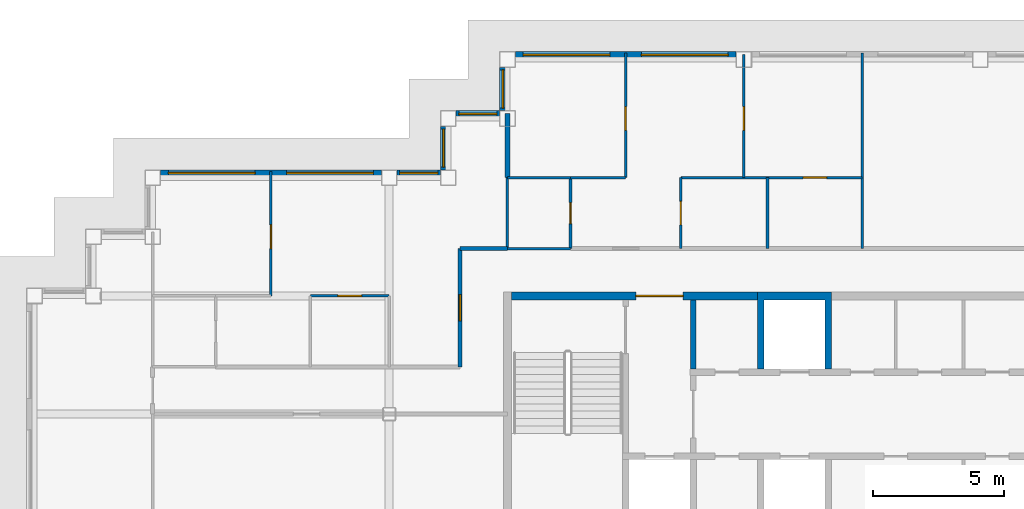
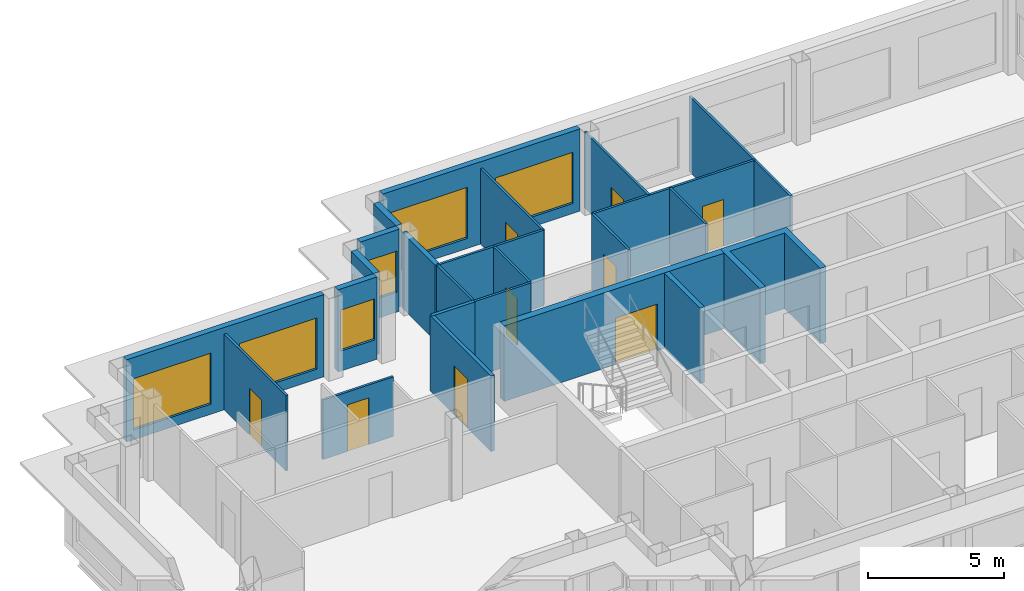
# One storey, part 4 of 11: 25 walls, 9 doors, 8 windows, 17 openings.
"""IFC4 building model written with IfcOpenShell, lengths in metres."""

from ifc_helpers import new_model, si_unit, direction, frame, frame_2d, origin, place, context, subcontext, project, spatial, polyline, rectangle, outline, extrude, material, layer, layer_set, type_object, element, fill, save


model = new_model("IFC4")

# Units and contexts
model_context = context("Model", 3, precision=1e-05, world=origin(), true_north=direction((0.0, 1.0)))
body_context = subcontext(model_context, "Body", "Model", "MODEL_VIEW")
ifc_project = project(units=[si_unit("LENGTHUNIT", "METRE"), si_unit("AREAUNIT", "SQUARE_METRE"), si_unit("VOLUMEUNIT", "CUBIC_METRE"), si_unit("PLANEANGLEUNIT", "RADIAN"), si_unit("MASSUNIT", "GRAM", prefix="KILO")], contexts=[model_context])

# Site, building, storey
site_placement = place(None, origin())
site = spatial("IfcSite", under=ifc_project, at=site_placement, CompositionType="ELEMENT")
building_placement = place(site_placement, origin())
building = spatial("IfcBuilding", under=site, at=building_placement, Name="Caravel Reach Hotel and Residences", CompositionType="ELEMENT")
storey_placement = place(building_placement, frame((0.0, 0.0, 256.39990234375)))
storey = spatial("IfcBuildingStorey", under=building, at=storey_placement, Name="L65", CompositionType="ELEMENT", Elevation=256.39990234375)

# Walls
ifc_material_1 = material(Name="Gypsum board on steel stud", Category="steel")
ifc_layer_1 = layer(ifc_material_1, 0.10009765625)
ifc_layer_set_1 = layer_set([ifc_layer_1], Name="Bathroom pod wall 100 mm")
wall_type_1 = type_object("IfcWallType", Name="Bathroom pod wall 100 mm", PredefinedType="PARTITIONING", material=ifc_layer_set_1)
for number, where, z_axis, x_axis, name in (
    (1, (18.0, 33.300048828125, 0.0), (0.0, 0.0, 1.0), (1.0, 0.0, 0.0), "L65 wall w059"),
    (2, (18.0, 36.0, 0.0), (0.0, 0.0, 1.0), (1.0, 0.0, 0.0), "L65 wall w060"),
):
    element("IfcWall", number, at=place(storey_placement, frame(where, z_axis=z_axis, x_axis=x_axis)), inside=storey, type_object=wall_type_1, Name=name, PredefinedType="PARTITIONING", context=body_context, shape_type="SweptSolid", body=[
        extrude(rectangle(XDim=2.39990234375, YDim=0.10009765625, at=frame_2d((1.199951171875, 0.0))), origin(), (0.0, 0.0, 1.0), 3.400146484375),
    ])
wall_1_placement = place(storey_placement, frame((18.0, 33.301025390625, 0.0), z_axis=(0.0, 0.0, 1.0), x_axis=(0.0, 1.0, 0.0)))
element("IfcWall", 3, at=wall_1_placement, inside=storey, type_object=wall_type_1, Name="L65 wall w061", PredefinedType="PARTITIONING", context=body_context, shape_type="SweptSolid", body=[
    extrude(rectangle(XDim=2.698974609375, YDim=0.10009765625, at=frame_2d((1.349609375, 0.0))), origin(), (0.0, 0.0, 1.0), 3.400146484375),
])

# Wall, opening, door
wall_2_placement = place(storey_placement, frame((20.39990234375, 33.300048828125, 0.0), z_axis=(0.0, 0.0, 1.0), x_axis=(0.0, 1.0, 0.0)))
wall_2 = element("IfcWall", 4, at=wall_2_placement, inside=storey, type_object=wall_type_1, Name="L65 wall w062", PredefinedType="PARTITIONING", context=body_context, shape_type="SweptSolid", body=[
    extrude(rectangle(XDim=2.699951171875, YDim=0.10009765625, at=frame_2d((1.35009765625, 0.0))), origin(), (0.0, 0.0, 1.0), 3.400146484375),
])
opening_1_placement = place(wall_2_placement, frame((0.949951171875, 0.0, 0.0)))
opening_1 = element("IfcOpeningElement", 5, at=opening_1_placement, cuts=wall_2, Name="Opening D65-019", PredefinedType="OPENING", context=body_context, shape_type="SweptSolid", body=[
    extrude(rectangle(XDim=0.800048828125, YDim=2.10009765625, at=frame_2d((0.39990234375, 1.050048828125))), frame((0.0, 0.06005859375, 0.0), z_axis=(0.0, -1.0, 0.0), x_axis=(1.0, 0.0, 0.0)), (0.0, 0.0, 1.0), 0.1201171875),
])
ifc_material_2 = material(Name="Timber and steel door leaf", Category="steel")
door_type_1 = type_object("IfcDoorType", Name="Bathroom door 800 x 2100", OperationType="SINGLE_SWING_LEFT", PredefinedType="DOOR", material=ifc_material_2)
door_1_placement = place(opening_1_placement, origin())
door_1 = element("IfcDoor", 6, at=door_1_placement, inside=storey, type_object=door_type_1, Name="door D65-019", OperationType="SINGLE_SWING_RIGHT", OverallHeight=2.10009765625, OverallWidth=0.800048828125, PredefinedType="DOOR", context=body_context, shape_type="SweptSolid", body=[
    extrude(rectangle(XDim=0.800048828125, YDim=2.10009765625, at=frame_2d((0.39990234375, 1.050048828125))), frame((0.0, 0.02490234375, 0.0), z_axis=(0.0, -1.0, 0.0), x_axis=(1.0, 0.0, 0.0)), (0.0, 0.0, 1.0), 0.050048828125),
])
fill(opening_1, door_1)

# Wall
ifc_material_3 = material(Name="Autoclaved aerated block wall")
ifc_layer_2 = layer(ifc_material_3, 0.199951171875)
ifc_layer_set_2 = layer_set([ifc_layer_2], Name="Compartment wall 200 mm EI 120")
wall_type_2 = type_object("IfcWallType", Name="Compartment wall 200 mm EI 120", PredefinedType="PARTITIONING", material=ifc_layer_set_2)
wall_3_placement = place(storey_placement, frame((25.071533203125, 28.72509765625, 0.0), z_axis=(0.0, 0.0, 1.0), x_axis=(0.0, 1.0, 0.0)))
element("IfcWall", 7, at=wall_3_placement, inside=storey, type_object=wall_type_2, Name="L65 store partition", PredefinedType="PARTITIONING", context=body_context, shape_type="SweptSolid", body=[
    extrude(rectangle(XDim=2.625, YDim=0.199951171875, at=frame_2d((1.3125, 0.0))), origin(), (0.0, 0.0, 1.0), 3.400146484375),
])

# Wall, opening, door
ifc_material_4 = material(Name="Concrete C60", Category="concrete")
ifc_layer_3 = layer(ifc_material_4, 0.300048828125)
ifc_layer_set_3 = layer_set([ifc_layer_3], Name="Core wall 300 mm EI 120")
wall_type_3 = type_object("IfcWallType", Name="Core wall 300 mm EI 120", PredefinedType="SHEAR", material=ifc_layer_set_3)
wall_4_placement = place(storey_placement, frame((18.14990234375, 31.5, 0.0), z_axis=(0.0, 0.0, 1.0), x_axis=(1.0, 0.0, 0.0)))
wall_4 = element("IfcWall", 8, at=wall_4_placement, inside=storey, type_object=wall_type_3, Name="L65 core wall N1", PredefinedType="SHEAR", context=body_context, shape_type="SweptSolid", body=[
    extrude(rectangle(XDim=9.367919921875, YDim=0.300048828125, at=frame_2d((4.68408203125, 0.0))), origin(), (0.0, 0.0, 1.0), 3.400146484375),
])
opening_2_placement = place(wall_4_placement, frame((4.735595703125, 0.0, 0.0)))
opening_2 = element("IfcOpeningElement", 9, at=opening_2_placement, cuts=wall_4, Name="Opening D65-016", PredefinedType="OPENING", context=body_context, shape_type="SweptSolid", body=[
    extrude(rectangle(XDim=1.800048828125, YDim=2.10009765625, at=frame_2d((0.89990234375, 1.050048828125))), frame((0.0, 0.159912109375, 0.0), z_axis=(0.0, -1.0, 0.0), x_axis=(1.0, 0.0, 0.0)), (0.0, 0.0, 1.0), 0.320068359375),
])
ifc_material_5 = material(Name="Steel fire door leaf", Category="steel")
door_type_2 = type_object("IfcDoorType", Name="Fire lobby door pair 1800 x 2100 EI 90", OperationType="DOUBLE_DOOR_SINGLE_SWING", PredefinedType="DOOR", material=ifc_material_5)
door_2_placement = place(opening_2_placement, origin())
door_2 = element("IfcDoor", 10, at=door_2_placement, inside=storey, type_object=door_type_2, Name="lobby N door pair to corridor", OperationType="DOUBLE_DOOR_SINGLE_SWING", OverallHeight=2.10009765625, OverallWidth=1.800048828125, PredefinedType="DOOR", context=body_context, shape_type="SweptSolid", body=[
    extrude(rectangle(XDim=1.800048828125, YDim=2.10009765625, at=frame_2d((0.89990234375, 1.050048828125))), frame((0.0, 0.02490234375, 0.0), z_axis=(0.0, -1.0, 0.0), x_axis=(1.0, 0.0, 0.0)), (0.0, 0.0, 1.0), 0.050048828125),
])
fill(opening_2, door_2)

# Wall
ifc_material_6 = material(Name="Gypsum board on steel stud, fire-rated", Category="steel")
ifc_layer_4 = layer(ifc_material_6, 0.14990234375)
ifc_layer_set_4 = layer_set([ifc_layer_4], Name="Corridor wall 150 mm EI 60")
wall_type_4 = type_object("IfcWallType", Name="Corridor wall 150 mm EI 60", PredefinedType="PARTITIONING", material=ifc_layer_set_4)
wall_5_placement = place(storey_placement, frame((16.199951171875, 33.300048828125, 0.0), z_axis=(0.0, 0.0, 1.0), x_axis=(1.0, 0.0, 0.0)))
element("IfcWall", 11, at=wall_5_placement, inside=storey, type_object=wall_type_4, Name="L65 wall w016", PredefinedType="PARTITIONING", context=body_context, shape_type="SweptSolid", body=[
    extrude(rectangle(XDim=1.799072265625, YDim=0.14990234375, at=frame_2d((0.8994140625, 0.0))), origin(), (0.0, 0.0, 1.0), 3.400146484375),
])

# Wall, opening, door
wall_6_placement = place(storey_placement, frame((16.199951171875, 28.801025390625, 0.0), z_axis=(0.0, 0.0, 1.0), x_axis=(0.0, 1.0, 0.0)))
wall_6 = element("IfcWall", 12, at=wall_6_placement, inside=storey, type_object=wall_type_4, Name="L65 wall w017", PredefinedType="PARTITIONING", context=body_context, shape_type="SweptSolid", body=[
    extrude(rectangle(XDim=4.4990234375, YDim=0.14990234375, at=frame_2d((2.24951171875, 0.0))), origin(), (0.0, 0.0, 1.0), 3.400146484375),
])
opening_3_placement = place(wall_6_placement, frame((1.74951171875, 0.0, 0.0)))
opening_3 = element("IfcOpeningElement", 13, at=opening_3_placement, cuts=wall_6, Name="Opening D65-025", PredefinedType="OPENING", context=body_context, shape_type="SweptSolid", body=[
    extrude(rectangle(XDim=1.0, YDim=2.199951171875, at=frame_2d((0.5, 1.10009765625))), frame((0.0, 0.0849609375, 0.0), z_axis=(0.0, -1.0, 0.0), x_axis=(1.0, 0.0, 0.0)), (0.0, 0.0, 1.0), 0.169921875),
])
ifc_material_7 = material(Name="Steel fire door leaf", Category="steel")
door_type_3 = type_object("IfcDoorType", Name="Flat entrance door 1000 x 2200 EI 60", OperationType="SINGLE_SWING_LEFT", PredefinedType="DOOR", material=ifc_material_7)
door_3_placement = place(opening_3_placement, origin())
door_3 = element("IfcDoor", 14, at=door_3_placement, inside=storey, type_object=door_type_3, Name="door D65-025", OperationType="SINGLE_SWING_LEFT", OverallHeight=2.199951171875, OverallWidth=1.0, PredefinedType="DOOR", context=body_context, shape_type="SweptSolid", body=[
    extrude(rectangle(XDim=1.0, YDim=2.199951171875, at=frame_2d((0.5, 1.10009765625))), frame((0.0, 0.02490234375, 0.0), z_axis=(0.0, -1.0, 0.0), x_axis=(1.0, 0.0, 0.0)), (0.0, 0.0, 1.0), 0.050048828125),
])
fill(opening_3, door_3)

# Wall, openings, windows
ifc_material_8 = material(Name="Insulated rainscreen wall, aluminium cladding", Category="aluminium")
ifc_layer_5 = layer(ifc_material_8, 0.25)
ifc_layer_set_5 = layer_set([ifc_layer_5], Name="EW1 Tower rainscreen wall")
wall_type_5 = type_object("IfcWallType", Name="EW1 Tower rainscreen wall", PredefinedType="SOLIDWALL", material=ifc_layer_set_5)
wall_7_placement = place(storey_placement, frame((26.699951171875, 40.675048828125, 0.0), z_axis=(0.0, 0.0, 1.0), x_axis=(-1.0, 0.0, 0.0)))
wall_7 = element("IfcWall", 15, at=wall_7_placement, inside=storey, type_object=wall_type_5, Name="External wall L65 N14.3", PredefinedType="SOLIDWALL", context=body_context, shape_type="SweptSolid", body=[
    extrude(rectangle(XDim=8.39990234375, YDim=0.25, at=frame_2d((4.199951171875, 0.0))), origin(), (0.0, 0.0, 1.0), 3.7001953125),
])
opening_4_placement = place(wall_7_placement, frame((0.300048828125, 0.0, 0.449951171875)))
opening_4 = element("IfcOpeningElement", 16, at=opening_4_placement, cuts=wall_7, Name="Opening WN15", PredefinedType="OPENING", context=body_context, shape_type="SweptSolid", body=[
    extrude(rectangle(XDim=3.300048828125, YDim=2.300048828125, at=frame_2d((1.64990234375, 1.14990234375))), frame((0.0, 0.135009765625, 0.0), z_axis=(0.0, -1.0, 0.0), x_axis=(1.0, 0.0, 0.0)), (0.0, 0.0, 1.0), 0.27001953125),
])
opening_5_placement = place(wall_7_placement, frame((4.800048828125, 0.0, 0.449951171875)))
opening_5 = element("IfcOpeningElement", 17, at=opening_5_placement, cuts=wall_7, Name="Opening WN15", PredefinedType="OPENING", context=body_context, shape_type="SweptSolid", body=[
    extrude(rectangle(XDim=3.300048828125, YDim=2.300048828125, at=frame_2d((1.64990234375, 1.14990234375))), frame((0.0, 0.135009765625, 0.0), z_axis=(0.0, -1.0, 0.0), x_axis=(1.0, 0.0, 0.0)), (0.0, 0.0, 1.0), 0.27001953125),
])
ifc_material_9 = material(Name="Dark low-e glazing in black aluminium frame", Category="aluminium")
window_type_1 = type_object("IfcWindowType", Name="Residence living window 3300 x 2300", PartitioningType="SINGLE_PANEL", PredefinedType="WINDOW", material=ifc_material_9)
window_1_placement = place(opening_4_placement, origin())
window_1 = element("IfcWindow", 18, at=window_1_placement, inside=storey, type_object=window_type_1, Name="Window L65 N14.3.1", OverallHeight=2.300048828125, OverallWidth=3.300048828125, PartitioningType="SINGLE_PANEL", PredefinedType="WINDOW", context=body_context, shape_type="SweptSolid", body=[
    extrude(rectangle(XDim=3.300048828125, YDim=2.300048828125, at=frame_2d((1.64990234375, 1.14990234375))), frame((0.0, 0.030029296875, 0.0), z_axis=(0.0, -1.0, 0.0), x_axis=(1.0, 0.0, 0.0)), (0.0, 0.0, 1.0), 0.06005859375),
])
fill(opening_4, window_1)
window_2_placement = place(opening_5_placement, origin())
window_2 = element("IfcWindow", 19, at=window_2_placement, inside=storey, type_object=window_type_1, Name="Window L65 N14.3.2", OverallHeight=2.300048828125, OverallWidth=3.300048828125, PartitioningType="SINGLE_PANEL", PredefinedType="WINDOW", context=body_context, shape_type="SweptSolid", body=[
    extrude(rectangle(XDim=3.300048828125, YDim=2.300048828125, at=frame_2d((1.64990234375, 1.14990234375))), frame((0.0, 0.030029296875, 0.0), z_axis=(0.0, -1.0, 0.0), x_axis=(1.0, 0.0, 0.0)), (0.0, 0.0, 1.0), 0.06005859375),
])
fill(opening_5, window_2)

# Wall, opening, window
wall_8_placement = place(storey_placement, frame((17.824951171875, 40.199951171875, 0.0), z_axis=(0.0, 0.0, 1.0), x_axis=(0.0, -1.0, 0.0)))
wall_8 = element("IfcWall", 20, at=wall_8_placement, inside=storey, type_object=wall_type_5, Name="External wall L65 W15.1", PredefinedType="SOLIDWALL", context=body_context, shape_type="SweptSolid", body=[
    extrude(rectangle(XDim=1.64990234375, YDim=0.25, at=frame_2d((0.824951171875, 0.0))), origin(), (0.0, 0.0, 1.0), 3.7001953125),
])
opening_6_placement = place(wall_8_placement, frame((0.10009765625, 0.0, 0.89990234375)))
opening_6 = element("IfcOpeningElement", 21, at=opening_6_placement, cuts=wall_8, Name="Opening WN25", PredefinedType="OPENING", context=body_context, shape_type="SweptSolid", body=[
    extrude(rectangle(XDim=1.449951171875, YDim=1.85009765625, at=frame_2d((0.72509765625, 0.925048828125))), frame((0.0, 0.135009765625, 0.0), z_axis=(0.0, -1.0, 0.0), x_axis=(1.0, 0.0, 0.0)), (0.0, 0.0, 1.0), 0.27001953125),
])
ifc_material_10 = material(Name="Dark low-e glazing in black aluminium frame", Category="aluminium")
window_type_2 = type_object("IfcWindowType", Name="Residence bedroom window 1450 x 1850", PartitioningType="SINGLE_PANEL", PredefinedType="WINDOW", material=ifc_material_10)
window_3_placement = place(opening_6_placement, origin())
window_3 = element("IfcWindow", 22, at=window_3_placement, inside=storey, type_object=window_type_2, Name="Window L65 W15.1.1", OverallHeight=1.85009765625, OverallWidth=1.449951171875, PartitioningType="SINGLE_PANEL", PredefinedType="WINDOW", context=body_context, shape_type="SweptSolid", body=[
    extrude(rectangle(XDim=1.449951171875, YDim=1.85009765625, at=frame_2d((0.72509765625, 0.925048828125))), frame((0.0, 0.030029296875, 0.0), z_axis=(0.0, -1.0, 0.0), x_axis=(1.0, 0.0, 0.0)), (0.0, 0.0, 1.0), 0.06005859375),
])
fill(opening_6, window_3)

wall_9_placement = place(storey_placement, frame((17.699951171875, 38.425048828125, 0.0), z_axis=(0.0, 0.0, 1.0), x_axis=(-1.0, 0.0, 0.0)))
wall_9 = element("IfcWall", 23, at=wall_9_placement, inside=storey, type_object=wall_type_5, Name="External wall L65 N16.1", PredefinedType="SOLIDWALL", context=body_context, shape_type="SweptSolid", body=[
    extrude(rectangle(XDim=1.64990234375, YDim=0.25, at=frame_2d((0.824951171875, 0.0))), origin(), (0.0, 0.0, 1.0), 3.7001953125),
])
opening_7_placement = place(wall_9_placement, frame((0.10009765625, 0.0, 0.89990234375)))
opening_7 = element("IfcOpeningElement", 24, at=opening_7_placement, cuts=wall_9, Name="Opening WN25", PredefinedType="OPENING", context=body_context, shape_type="SweptSolid", body=[
    extrude(rectangle(XDim=1.449951171875, YDim=1.85009765625, at=frame_2d((0.72509765625, 0.925048828125))), frame((0.0, 0.135009765625, 0.0), z_axis=(0.0, -1.0, 0.0), x_axis=(1.0, 0.0, 0.0)), (0.0, 0.0, 1.0), 0.27001953125),
])
window_4_placement = place(opening_7_placement, origin())
window_4 = element("IfcWindow", 25, at=window_4_placement, inside=storey, type_object=window_type_2, Name="Window L65 N16.1.1", OverallHeight=1.85009765625, OverallWidth=1.449951171875, PartitioningType="SINGLE_PANEL", PredefinedType="WINDOW", context=body_context, shape_type="SweptSolid", body=[
    extrude(rectangle(XDim=1.449951171875, YDim=1.85009765625, at=frame_2d((0.72509765625, 0.925048828125))), frame((0.0, 0.030029296875, 0.0), z_axis=(0.0, -1.0, 0.0), x_axis=(1.0, 0.0, 0.0)), (0.0, 0.0, 1.0), 0.06005859375),
])
fill(opening_7, window_4)

wall_10_placement = place(storey_placement, frame((15.574951171875, 37.949951171875, 0.0), z_axis=(0.0, 0.0, 1.0), x_axis=(0.0, -1.0, 0.0)))
wall_10 = element("IfcWall", 26, at=wall_10_placement, inside=storey, type_object=wall_type_5, Name="External wall L65 W17.1", PredefinedType="SOLIDWALL", context=body_context, shape_type="SweptSolid", body=[
    extrude(rectangle(XDim=1.64990234375, YDim=0.25, at=frame_2d((0.824951171875, 0.0))), origin(), (0.0, 0.0, 1.0), 3.7001953125),
])
opening_8_placement = place(wall_10_placement, frame((0.10009765625, 0.0, 0.89990234375)))
opening_8 = element("IfcOpeningElement", 27, at=opening_8_placement, cuts=wall_10, Name="Opening WN25", PredefinedType="OPENING", context=body_context, shape_type="SweptSolid", body=[
    extrude(rectangle(XDim=1.449951171875, YDim=1.85009765625, at=frame_2d((0.72509765625, 0.925048828125))), frame((0.0, 0.135009765625, 0.0), z_axis=(0.0, -1.0, 0.0), x_axis=(1.0, 0.0, 0.0)), (0.0, 0.0, 1.0), 0.27001953125),
])
window_5_placement = place(opening_8_placement, origin())
window_5 = element("IfcWindow", 28, at=window_5_placement, inside=storey, type_object=window_type_2, Name="Window L65 W17.1.1", OverallHeight=1.85009765625, OverallWidth=1.449951171875, PartitioningType="SINGLE_PANEL", PredefinedType="WINDOW", context=body_context, shape_type="SweptSolid", body=[
    extrude(rectangle(XDim=1.449951171875, YDim=1.85009765625, at=frame_2d((0.72509765625, 0.925048828125))), frame((0.0, 0.030029296875, 0.0), z_axis=(0.0, -1.0, 0.0), x_axis=(1.0, 0.0, 0.0)), (0.0, 0.0, 1.0), 0.06005859375),
])
fill(opening_8, window_5)

wall_11_placement = place(storey_placement, frame((15.449951171875, 36.175048828125, 0.0), z_axis=(0.0, 0.0, 1.0), x_axis=(-1.0, 0.0, 0.0)))
wall_11 = element("IfcWall", 29, at=wall_11_placement, inside=storey, type_object=wall_type_5, Name="External wall L65 N18.1", PredefinedType="SOLIDWALL", context=body_context, shape_type="SweptSolid", body=[
    extrude(rectangle(XDim=1.64990234375, YDim=0.25, at=frame_2d((0.824951171875, 0.0))), origin(), (0.0, 0.0, 1.0), 3.7001953125),
])
opening_9_placement = place(wall_11_placement, frame((0.10009765625, 0.0, 0.89990234375)))
opening_9 = element("IfcOpeningElement", 30, at=opening_9_placement, cuts=wall_11, Name="Opening WN25", PredefinedType="OPENING", context=body_context, shape_type="SweptSolid", body=[
    extrude(rectangle(XDim=1.449951171875, YDim=1.85009765625, at=frame_2d((0.72509765625, 0.925048828125))), frame((0.0, 0.135009765625, 0.0), z_axis=(0.0, -1.0, 0.0), x_axis=(1.0, 0.0, 0.0)), (0.0, 0.0, 1.0), 0.27001953125),
])
window_6_placement = place(opening_9_placement, origin())
window_6 = element("IfcWindow", 31, at=window_6_placement, inside=storey, type_object=window_type_2, Name="Window L65 N18.1.1", OverallHeight=1.85009765625, OverallWidth=1.449951171875, PartitioningType="SINGLE_PANEL", PredefinedType="WINDOW", context=body_context, shape_type="SweptSolid", body=[
    extrude(rectangle(XDim=1.449951171875, YDim=1.85009765625, at=frame_2d((0.72509765625, 0.925048828125))), frame((0.0, 0.030029296875, 0.0), z_axis=(0.0, -1.0, 0.0), x_axis=(1.0, 0.0, 0.0)), (0.0, 0.0, 1.0), 0.06005859375),
])
fill(opening_9, window_6)

# Wall, openings, windows
wall_12_placement = place(storey_placement, frame((13.199951171875, 36.175048828125, 0.0), z_axis=(0.0, 0.0, 1.0), x_axis=(-1.0, 0.0, 0.0)))
wall_12 = element("IfcWall", 32, at=wall_12_placement, inside=storey, type_object=wall_type_5, Name="External wall L65 N18.2", PredefinedType="SOLIDWALL", context=body_context, shape_type="SweptSolid", body=[
    extrude(rectangle(XDim=8.39990234375, YDim=0.25, at=frame_2d((4.199951171875, 0.0))), origin(), (0.0, 0.0, 1.0), 3.7001953125),
])
opening_10_placement = place(wall_12_placement, frame((0.300048828125, 0.0, 0.449951171875)))
opening_10 = element("IfcOpeningElement", 33, at=opening_10_placement, cuts=wall_12, Name="Opening WN15", PredefinedType="OPENING", context=body_context, shape_type="SweptSolid", body=[
    extrude(rectangle(XDim=3.300048828125, YDim=2.300048828125, at=frame_2d((1.64990234375, 1.14990234375))), frame((0.0, 0.135009765625, 0.0), z_axis=(0.0, -1.0, 0.0), x_axis=(1.0, 0.0, 0.0)), (0.0, 0.0, 1.0), 0.27001953125),
])
opening_11_placement = place(wall_12_placement, frame((4.800048828125, 0.0, 0.449951171875)))
opening_11 = element("IfcOpeningElement", 34, at=opening_11_placement, cuts=wall_12, Name="Opening WN15", PredefinedType="OPENING", context=body_context, shape_type="SweptSolid", body=[
    extrude(rectangle(XDim=3.300048828125, YDim=2.300048828125, at=frame_2d((1.64990234375, 1.14990234375))), frame((0.0, 0.135009765625, 0.0), z_axis=(0.0, -1.0, 0.0), x_axis=(1.0, 0.0, 0.0)), (0.0, 0.0, 1.0), 0.27001953125),
])
window_7_placement = place(opening_10_placement, origin())
window_7 = element("IfcWindow", 35, at=window_7_placement, inside=storey, type_object=window_type_1, Name="Window L65 N18.2.1", OverallHeight=2.300048828125, OverallWidth=3.300048828125, PartitioningType="SINGLE_PANEL", PredefinedType="WINDOW", context=body_context, shape_type="SweptSolid", body=[
    extrude(rectangle(XDim=3.300048828125, YDim=2.300048828125, at=frame_2d((1.64990234375, 1.14990234375))), frame((0.0, 0.030029296875, 0.0), z_axis=(0.0, -1.0, 0.0), x_axis=(1.0, 0.0, 0.0)), (0.0, 0.0, 1.0), 0.06005859375),
])
fill(opening_10, window_7)
window_8_placement = place(opening_11_placement, origin())
window_8 = element("IfcWindow", 36, at=window_8_placement, inside=storey, type_object=window_type_1, Name="Window L65 N18.2.2", OverallHeight=2.300048828125, OverallWidth=3.300048828125, PartitioningType="SINGLE_PANEL", PredefinedType="WINDOW", context=body_context, shape_type="SweptSolid", body=[
    extrude(rectangle(XDim=3.300048828125, YDim=2.300048828125, at=frame_2d((1.64990234375, 1.14990234375))), frame((0.0, 0.030029296875, 0.0), z_axis=(0.0, -1.0, 0.0), x_axis=(1.0, 0.0, 0.0)), (0.0, 0.0, 1.0), 0.06005859375),
])
fill(opening_11, window_8)

# Wall, opening, door
ifc_material_11 = material(Name="Gypsum board on steel stud", Category="steel")
ifc_layer_6 = layer(ifc_material_11, 0.10009765625)
ifc_layer_set_6 = layer_set([ifc_layer_6], Name="Partition 100 mm")
wall_type_6 = type_object("IfcWallType", Name="Partition 100 mm", PredefinedType="PARTITIONING", material=ifc_layer_set_6)
wall_13_placement = place(storey_placement, frame((10.5, 31.5, 0.0), z_axis=(0.0, 0.0, 1.0), x_axis=(1.0, 0.0, 0.0)))
wall_13 = element("IfcWall", 37, at=wall_13_placement, inside=storey, type_object=wall_type_6, Name="L65 wall w027", PredefinedType="PARTITIONING", context=body_context, shape_type="SweptSolid", body=[
    extrude(rectangle(XDim=3.0, YDim=0.10009765625, at=frame_2d((1.5, 0.0))), origin(), (0.0, 0.0, 1.0), 2.68017578125),
])
opening_12_placement = place(wall_13_placement, frame((1.050048828125, 0.0, 0.0)))
opening_12 = element("IfcOpeningElement", 38, at=opening_12_placement, cuts=wall_13, Name="Opening D65-027", PredefinedType="OPENING", context=body_context, shape_type="SweptSolid", body=[
    extrude(rectangle(XDim=0.89990234375, YDim=2.10009765625, at=frame_2d((0.449951171875, 1.050048828125))), frame((0.0, 0.06005859375, 0.0), z_axis=(0.0, -1.0, 0.0), x_axis=(1.0, 0.0, 0.0)), (0.0, 0.0, 1.0), 0.1201171875),
])
ifc_material_12 = material(Name="Timber and steel door leaf", Category="steel")
door_type_4 = type_object("IfcDoorType", Name="Door 900 x 2100 timber", OperationType="SINGLE_SWING_LEFT", PredefinedType="DOOR", material=ifc_material_12)
door_4_placement = place(opening_12_placement, origin())
door_4 = element("IfcDoor", 39, at=door_4_placement, inside=storey, type_object=door_type_4, Name="door D65-027", OperationType="SINGLE_SWING_RIGHT", OverallHeight=2.10009765625, OverallWidth=0.89990234375, PredefinedType="DOOR", context=body_context, shape_type="SweptSolid", body=[
    extrude(rectangle(XDim=0.89990234375, YDim=2.10009765625, at=frame_2d((0.449951171875, 1.050048828125))), frame((0.0, 0.02490234375, 0.0), z_axis=(0.0, -1.0, 0.0), x_axis=(1.0, 0.0, 0.0)), (0.0, 0.0, 1.0), 0.050048828125),
])
fill(opening_12, door_4)

# Wall
wall_14_placement = place(storey_placement, frame((20.39990234375, 36.0, 0.0), z_axis=(0.0, 0.0, 1.0), x_axis=(1.0, 0.0, 0.0)))
element("IfcWall", 40, at=wall_14_placement, inside=storey, type_object=wall_type_6, Name="L65 wall w028", PredefinedType="PARTITIONING", context=body_context, shape_type="SweptSolid", body=[
    extrude(rectangle(XDim=2.10009765625, YDim=0.10009765625, at=frame_2d((1.050048828125, 0.0))), origin(), (0.0, 0.0, 1.0), 3.400146484375),
])

# Wall, opening, door
wall_15_placement = place(storey_placement, frame((24.60009765625, 36.0, 0.0), z_axis=(0.0, 0.0, 1.0), x_axis=(1.0, 0.0, 0.0)))
wall_15 = element("IfcWall", 41, at=wall_15_placement, inside=storey, type_object=wall_type_6, Name="L65 wall w030", PredefinedType="PARTITIONING", context=body_context, shape_type="SweptSolid", body=[
    extrude(rectangle(XDim=6.89990234375, YDim=0.10009765625, at=frame_2d((3.449951171875, 0.0))), origin(), (0.0, 0.0, 1.0), 3.400146484375),
])
opening_13_placement = place(wall_15_placement, frame((4.650146484375, 0.0, 0.0)))
opening_13 = element("IfcOpeningElement", 42, at=opening_13_placement, cuts=wall_15, Name="Opening D65-021", PredefinedType="OPENING", context=body_context, shape_type="SweptSolid", body=[
    extrude(rectangle(XDim=0.89990234375, YDim=2.10009765625, at=frame_2d((0.449951171875, 1.050048828125))), frame((0.0, 0.06005859375, 0.0), z_axis=(0.0, -1.0, 0.0), x_axis=(1.0, 0.0, 0.0)), (0.0, 0.0, 1.0), 0.1201171875),
])
door_5_placement = place(opening_13_placement, origin())
door_5 = element("IfcDoor", 43, at=door_5_placement, inside=storey, type_object=door_type_4, Name="door D65-021", OperationType="SINGLE_SWING_RIGHT", OverallHeight=2.10009765625, OverallWidth=0.89990234375, PredefinedType="DOOR", context=body_context, shape_type="SweptSolid", body=[
    extrude(rectangle(XDim=0.89990234375, YDim=2.10009765625, at=frame_2d((0.449951171875, 1.050048828125))), frame((0.0, 0.02490234375, 0.0), z_axis=(0.0, -1.0, 0.0), x_axis=(1.0, 0.0, 0.0)), (0.0, 0.0, 1.0), 0.050048828125),
])
fill(opening_13, door_5)

wall_16_placement = place(storey_placement, frame((22.5, 36.0, 0.0), z_axis=(0.0, 0.0, 1.0), x_axis=(0.0, 1.0, 0.0)))
wall_16 = element("IfcWall", 44, at=wall_16_placement, inside=storey, type_object=wall_type_6, Name="L65 wall w037", PredefinedType="PARTITIONING", context=body_context, shape_type="SweptSolid", body=[
    extrude(rectangle(XDim=4.739990234375, YDim=0.10009765625, at=frame_2d((2.3701171875, 0.0))), origin(), (0.0, 0.0, 1.0), 3.400146484375),
])
opening_14_placement = place(wall_16_placement, frame((1.800048828125, 0.0, 0.0)))
opening_14 = element("IfcOpeningElement", 45, at=opening_14_placement, cuts=wall_16, Name="Opening D65-022", PredefinedType="OPENING", context=body_context, shape_type="SweptSolid", body=[
    extrude(rectangle(XDim=0.89990234375, YDim=2.10009765625, at=frame_2d((0.449951171875, 1.050048828125))), frame((0.0, 0.06005859375, 0.0), z_axis=(0.0, -1.0, 0.0), x_axis=(1.0, 0.0, 0.0)), (0.0, 0.0, 1.0), 0.1201171875),
])
door_6_placement = place(opening_14_placement, origin())
door_6 = element("IfcDoor", 46, at=door_6_placement, inside=storey, type_object=door_type_4, Name="door D65-022", OperationType="SINGLE_SWING_LEFT", OverallHeight=2.10009765625, OverallWidth=0.89990234375, PredefinedType="DOOR", context=body_context, shape_type="SweptSolid", body=[
    extrude(rectangle(XDim=0.89990234375, YDim=2.10009765625, at=frame_2d((0.449951171875, 1.050048828125))), frame((0.0, 0.02490234375, 0.0), z_axis=(0.0, -1.0, 0.0), x_axis=(1.0, 0.0, 0.0)), (0.0, 0.0, 1.0), 0.050048828125),
])
fill(opening_14, door_6)

wall_17_placement = place(storey_placement, frame((24.60009765625, 33.300048828125, 0.0), z_axis=(0.0, 0.0, 1.0), x_axis=(0.0, 1.0, 0.0)))
wall_17 = element("IfcWall", 47, at=wall_17_placement, inside=storey, type_object=wall_type_6, Name="L65 wall w039", PredefinedType="PARTITIONING", context=body_context, shape_type="SweptSolid", body=[
    extrude(rectangle(XDim=2.699951171875, YDim=0.10009765625, at=frame_2d((1.35009765625, 0.0))), origin(), (0.0, 0.0, 1.0), 3.400146484375),
])
opening_15_placement = place(wall_17_placement, frame((0.89990234375, 0.0, 0.0)))
opening_15 = element("IfcOpeningElement", 48, at=opening_15_placement, cuts=wall_17, Name="Opening D65-020", PredefinedType="OPENING", context=body_context, shape_type="SweptSolid", body=[
    extrude(rectangle(XDim=0.89990234375, YDim=2.10009765625, at=frame_2d((0.449951171875, 1.050048828125))), frame((0.0, 0.06005859375, 0.0), z_axis=(0.0, -1.0, 0.0), x_axis=(1.0, 0.0, 0.0)), (0.0, 0.0, 1.0), 0.1201171875),
])
door_7_placement = place(opening_15_placement, origin())
door_7 = element("IfcDoor", 49, at=door_7_placement, inside=storey, type_object=door_type_4, Name="door D65-020", OperationType="SINGLE_SWING_LEFT", OverallHeight=2.10009765625, OverallWidth=0.89990234375, PredefinedType="DOOR", context=body_context, shape_type="SweptSolid", body=[
    extrude(rectangle(XDim=0.89990234375, YDim=2.10009765625, at=frame_2d((0.449951171875, 1.050048828125))), frame((0.0, 0.02490234375, 0.0), z_axis=(0.0, -1.0, 0.0), x_axis=(1.0, 0.0, 0.0)), (0.0, 0.0, 1.0), 0.050048828125),
])
fill(opening_15, door_7)

wall_18_placement = place(storey_placement, frame((27.0, 36.0, 0.0), z_axis=(0.0, 0.0, 1.0), x_axis=(0.0, 1.0, 0.0)))
wall_18 = element("IfcWall", 50, at=wall_18_placement, inside=storey, type_object=wall_type_6, Name="L65 wall w040", PredefinedType="PARTITIONING", context=body_context, shape_type="SweptSolid", body=[
    extrude(rectangle(XDim=4.68994140625, YDim=0.10009765625, at=frame_2d((2.344970703125, 0.0))), origin(), (0.0, 0.0, 1.0), 3.400146484375),
])
opening_16_placement = place(wall_18_placement, frame((1.800048828125, 0.0, 0.0)))
opening_16 = element("IfcOpeningElement", 51, at=opening_16_placement, cuts=wall_18, Name="Opening D65-023", PredefinedType="OPENING", context=body_context, shape_type="SweptSolid", body=[
    extrude(rectangle(XDim=0.89990234375, YDim=2.10009765625, at=frame_2d((0.449951171875, 1.050048828125))), frame((0.0, 0.06005859375, 0.0), z_axis=(0.0, -1.0, 0.0), x_axis=(1.0, 0.0, 0.0)), (0.0, 0.0, 1.0), 0.1201171875),
])
door_8_placement = place(opening_16_placement, origin())
door_8 = element("IfcDoor", 52, at=door_8_placement, inside=storey, type_object=door_type_4, Name="door D65-023", OperationType="SINGLE_SWING_RIGHT", OverallHeight=2.10009765625, OverallWidth=0.89990234375, PredefinedType="DOOR", context=body_context, shape_type="SweptSolid", body=[
    extrude(rectangle(XDim=0.89990234375, YDim=2.10009765625, at=frame_2d((0.449951171875, 1.050048828125))), frame((0.0, 0.02490234375, 0.0), z_axis=(0.0, -1.0, 0.0), x_axis=(1.0, 0.0, 0.0)), (0.0, 0.0, 1.0), 0.050048828125),
])
fill(opening_16, door_8)

# Walls
wall_19_placement = place(storey_placement, frame((27.89990234375, 33.300048828125, 0.0), z_axis=(0.0, 0.0, 1.0), x_axis=(0.0, 1.0, 0.0)))
element("IfcWall", 53, at=wall_19_placement, inside=storey, type_object=wall_type_6, Name="L65 wall w041", PredefinedType="PARTITIONING", context=body_context, shape_type="SweptSolid", body=[
    extrude(rectangle(XDim=2.699951171875, YDim=0.10009765625, at=frame_2d((1.35009765625, 0.0))), origin(), (0.0, 0.0, 1.0), 3.400146484375),
])
wall_20_placement = place(storey_placement, frame((31.5, 33.300048828125, 0.0), z_axis=(0.0, 0.0, 1.0), x_axis=(0.0, 1.0, 0.0)))
element("IfcWall", 54, at=wall_20_placement, inside=storey, type_object=wall_type_6, Name="L65 wall w044", PredefinedType="PARTITIONING", context=body_context, shape_type="SweptSolid", body=[
    extrude(rectangle(XDim=7.43994140625, YDim=0.10009765625, at=frame_2d((3.719970703125, 0.0))), origin(), (0.0, 0.0, 1.0), 3.400146484375),
])

# Wall, opening, door
wall_21_placement = place(storey_placement, frame((9.0, 31.5, 0.0), z_axis=(0.0, 0.0, 1.0), x_axis=(0.0, 1.0, 0.0)))
wall_21 = element("IfcWall", 55, at=wall_21_placement, inside=storey, type_object=wall_type_6, Name="L65 wall w050", PredefinedType="PARTITIONING", context=body_context, shape_type="SweptSolid", body=[
    extrude(rectangle(XDim=4.739990234375, YDim=0.10009765625, at=frame_2d((2.3701171875, 0.0))), origin(), (0.0, 0.0, 1.0), 3.400146484375),
])
opening_17_placement = place(wall_21_placement, frame((1.800048828125, 0.0, 0.0)))
opening_17 = element("IfcOpeningElement", 56, at=opening_17_placement, cuts=wall_21, Name="Opening D65-028", PredefinedType="OPENING", context=body_context, shape_type="SweptSolid", body=[
    extrude(rectangle(XDim=0.89990234375, YDim=2.10009765625, at=frame_2d((0.449951171875, 1.050048828125))), frame((0.0, 0.06005859375, 0.0), z_axis=(0.0, -1.0, 0.0), x_axis=(1.0, 0.0, 0.0)), (0.0, 0.0, 1.0), 0.1201171875),
])
door_9_placement = place(opening_17_placement, origin())
door_9 = element("IfcDoor", 57, at=door_9_placement, inside=storey, type_object=door_type_4, Name="door D65-028", OperationType="SINGLE_SWING_LEFT", OverallHeight=2.10009765625, OverallWidth=0.89990234375, PredefinedType="DOOR", context=body_context, shape_type="SweptSolid", body=[
    extrude(rectangle(XDim=0.89990234375, YDim=2.10009765625, at=frame_2d((0.449951171875, 1.050048828125))), frame((0.0, 0.02490234375, 0.0), z_axis=(0.0, -1.0, 0.0), x_axis=(1.0, 0.0, 0.0)), (0.0, 0.0, 1.0), 0.050048828125),
])
fill(opening_17, door_9)

# Walls
ifc_material_13 = material(Name="Autoclaved aerated block wall")
ifc_layer_7 = layer(ifc_material_13, 0.199951171875)
ifc_layer_set_7 = layer_set([ifc_layer_7], Name="Party wall 200 mm EI 60")
wall_type_7 = type_object("IfcWallType", Name="Party wall 200 mm EI 60", PredefinedType="PARTITIONING", material=ifc_layer_set_7)
wall_22_placement = place(storey_placement, frame((18.0, 36.0, 0.0), z_axis=(0.0, 0.0, 1.0), x_axis=(0.0, 1.0, 0.0)))
element("IfcWall", 58, at=wall_22_placement, inside=storey, type_object=wall_type_7, Name="L65 wall w051", PredefinedType="PARTITIONING", context=body_context, shape_type="SweptSolid", body=[
    extrude(rectangle(XDim=2.43994140625, YDim=0.199951171875, at=frame_2d((1.219970703125, 0.0))), origin(), (0.0, 0.0, 1.0), 3.400146484375),
])
ifc_material_14 = material(Name="Concrete C60", Category="concrete")
ifc_layer_8 = layer(ifc_material_14, 0.25)
ifc_layer_set_8 = layer_set([ifc_layer_8], Name="Shaft wall 250 mm EI 120")
wall_type_8 = type_object("IfcWallType", Name="Shaft wall 250 mm EI 120", PredefinedType="SHEAR", material=ifc_layer_set_8)
wall_23_placement = place(storey_placement, origin())
element("IfcWall", 59, at=wall_23_placement, inside=storey, type_object=wall_type_8, Name="L65 lift shaft wall N1", PredefinedType="SHEAR", context=body_context, shape_type="SweptSolid", body=[
    extrude(outline(polyline([(27.517822265625, 28.72509765625), (27.767822265625, 28.72509765625), (27.767822265625, 31.35009765625), (30.08935546875, 31.35009765625), (30.08935546875, 28.72509765625), (30.33935546875, 28.72509765625), (30.33935546875, 31.64990234375), (27.517822265625, 31.64990234375), (27.517822265625, 28.72509765625)])), origin(), (0.0, 0.0, 1.0), 3.400146484375),
])

save(model, "model.ifc")
